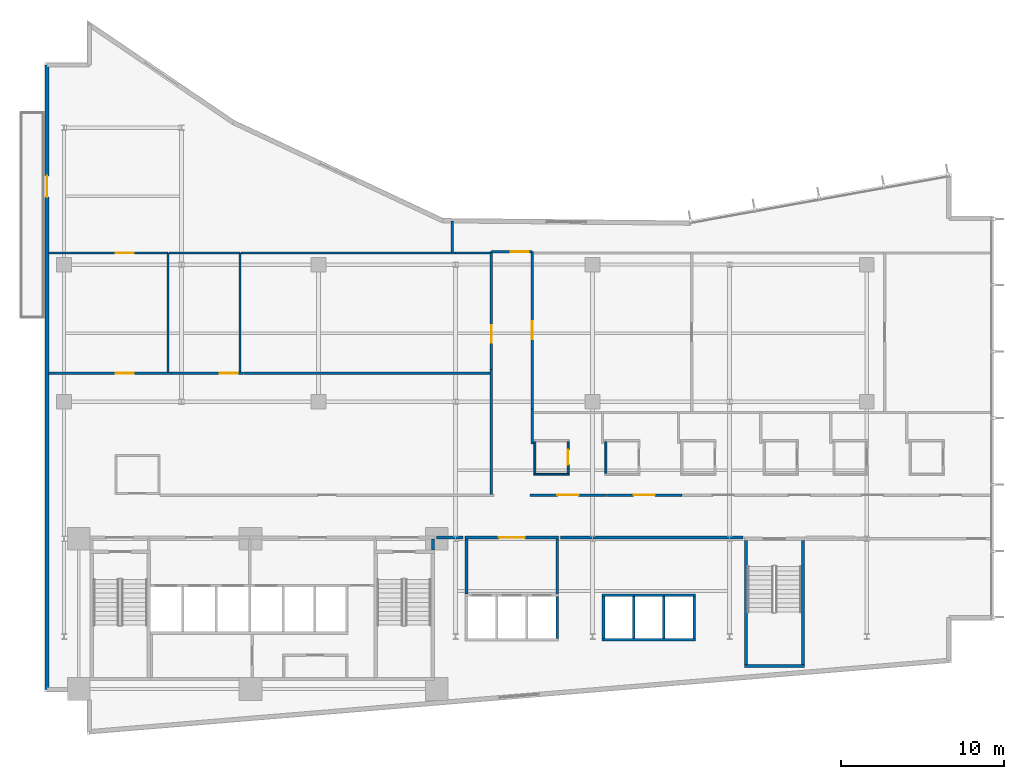
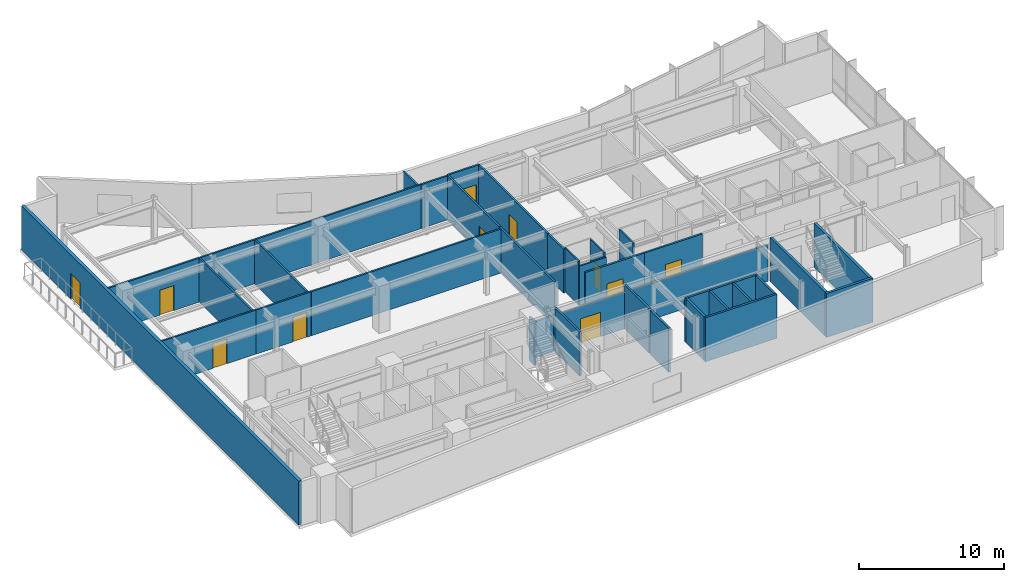
# One storey, part 13 of 20: 40 walls, 11 doors, 11 openings.
"""IFC4 building model written with IfcOpenShell, lengths in metres."""

from ifc_helpers import new_model, si_unit, direction, frame, frame_2d, origin, place, context, subcontext, project, spatial, rectangle, extrude, material, layer, layer_set, type_object, element, fill, save


model = new_model("IFC4")

# Units and contexts
model_context = context("Model", 3, precision=1e-05, world=origin(), true_north=direction((0.0, 1.0)))
body_context = subcontext(model_context, "Body", "Model", "MODEL_VIEW")
ifc_project = project(units=[si_unit("LENGTHUNIT", "METRE"), si_unit("AREAUNIT", "SQUARE_METRE"), si_unit("VOLUMEUNIT", "CUBIC_METRE"), si_unit("PLANEANGLEUNIT", "RADIAN"), si_unit("MASSUNIT", "GRAM", prefix="KILO")], contexts=[model_context])

# Site, building, storey
site_placement = place(None, origin())
site = spatial("IfcSite", under=ifc_project, at=site_placement, CompositionType="ELEMENT")
building_placement = place(site_placement, origin())
building = spatial("IfcBuilding", under=site, at=building_placement, Name="Varnakote Quay Hospital", CompositionType="ELEMENT")
storey_placement = place(building_placement, frame((0.0, 0.0, 81.75)))
storey = spatial("IfcBuildingStorey", under=building, at=storey_placement, Name="L20", CompositionType="ELEMENT", Elevation=81.75)

# Walls
ifc_material_1 = material(Name="Fire-rated acoustic gypsum stud wall", Category="gypsum")
ifc_layer_1 = layer(ifc_material_1, 0.159912109375)
ifc_layer_set_1 = layer_set([ifc_layer_1], Name="Fire-rated acoustic gypsum stud wall")
wall_type_1 = type_object("IfcWallType", Name="WL-COMP-160", PredefinedType="PARTITIONING", material=ifc_layer_set_1)
wall_1_placement = place(storey_placement, frame((23.820068359375, 11.300048828125, 0.0), z_axis=(0.0, 0.0, 1.0), x_axis=(0.0, 1.0, 0.0)))
element("IfcWall", 1, at=wall_1_placement, inside=storey, type_object=wall_type_1, Name="L20 East Stair Vestibule East Wall", PredefinedType="PARTITIONING", context=body_context, shape_type="SweptSolid", body=[
    extrude(rectangle(XDim=0.699951171875, YDim=0.159912109375, at=frame_2d((0.35009765625, 0.0))), origin(), (0.0, 0.0, 1.0), 3.7099609375),
])
for number, where, z_axis, x_axis, name in (
    (2, (25.8701171875, 8.610107421875, 0.0), (0.0, 0.0, 1.0), (0.0, 1.0, 0.0), "L20 Low-Rise Lift Lobby West Wall"),
    (3, (31.429931640625, 8.610107421875, 0.0), (0.0, 0.0, 1.0), (0.0, 1.0, 0.0), "L20 Low-Rise Lift Lobby East Wall"),
):
    element("IfcWall", number, at=place(storey_placement, frame(where, z_axis=z_axis, x_axis=x_axis)), inside=storey, type_object=wall_type_1, Name=name, PredefinedType="PARTITIONING", context=body_context, shape_type="SweptSolid", body=[
        extrude(rectangle(XDim=3.389892578125, YDim=0.159912109375, at=frame_2d((1.69482421875, 0.0))), origin(), (0.0, 0.0, 1.0), 3.7099609375),
    ])

# Wall, opening, door
wall_2_placement = place(storey_placement, frame((25.7900390625, 12.080078125, 0.0), z_axis=(0.0, 0.0, 1.0), x_axis=(1.0, 0.0, 0.0)))
wall_2 = element("IfcWall", 4, at=wall_2_placement, inside=storey, type_object=wall_type_1, Name="L20 Low-Rise Lift Lobby North Wall", PredefinedType="PARTITIONING", context=body_context, shape_type="SweptSolid", body=[
    extrude(rectangle(XDim=5.719970703125, YDim=0.159912109375, at=frame_2d((2.85986328125, 0.0))), origin(), (0.0, 0.0, 1.0), 3.072998046875),
])
opening_1_placement = place(wall_2_placement, frame((2.06005859375, 0.0, 0.0)))
opening_1 = element("IfcOpeningElement", 5, at=opening_1_placement, cuts=wall_2, Name="Opening D-PLL-L20", PredefinedType="OPENING", context=body_context, shape_type="SweptSolid", body=[
    extrude(rectangle(XDim=1.60009765625, YDim=2.050048828125, at=frame_2d((0.800048828125, 1.02490234375))), frame((0.0, 0.08984375, 0.0), z_axis=(0.0, -1.0, 0.0), x_axis=(1.0, 0.0, 0.0)), (0.0, 0.0, 1.0), 0.179931640625),
])
ifc_material_2 = material(Name="Fire-rated double smoke lobby door")
door_type_1 = type_object("IfcDoorType", Name="DR-LOBBY-FD60S-1600x2150", OperationType="NOTDEFINED", PredefinedType="DOOR", material=ifc_material_2)
door_1_placement = place(opening_1_placement, origin())
door_1 = element("IfcDoor", 6, at=door_1_placement, inside=storey, type_object=door_type_1, Name="L20 Low-Rise Passenger Concourse Vestibule Door", OperationType="DOUBLE_DOOR_SINGLE_SWING", OverallHeight=2.050048828125, OverallWidth=1.60009765625, PredefinedType="DOOR", context=body_context, shape_type="SweptSolid", body=[
    extrude(rectangle(XDim=1.60009765625, YDim=2.050048828125, at=frame_2d((0.800048828125, 1.02490234375))), frame((0.0, 0.02490234375, 0.0), z_axis=(0.0, -1.0, 0.0), x_axis=(1.0, 0.0, 0.0)), (0.0, 0.0, 1.0), 0.050048828125),
])
fill(opening_1, door_1)

# Walls
wall_3_placement = place(storey_placement, frame((24.02001953125, 12.080078125, 0.0), z_axis=(0.0, 0.0, 1.0), x_axis=(1.0, 0.0, 0.0)))
element("IfcWall", 7, at=wall_3_placement, inside=storey, type_object=wall_type_1, Name="L20 Corridor South Gap Wall", PredefinedType="PARTITIONING", context=body_context, shape_type="SweptSolid", body=[
    extrude(rectangle(XDim=1.64990234375, YDim=0.159912109375, at=frame_2d((0.824951171875, 0.0))), origin(), (0.0, 0.0, 1.0), 3.072998046875),
])
wall_4_placement = place(storey_placement, frame((31.6298828125, 12.080078125, 0.0), z_axis=(0.0, 0.0, 1.0), x_axis=(1.0, 0.0, 0.0)))
element("IfcWall", 8, at=wall_4_placement, inside=storey, type_object=wall_type_1, Name="L20 Corridor South Gap Wall", PredefinedType="PARTITIONING", context=body_context, shape_type="SweptSolid", body=[
    extrude(rectangle(XDim=11.180908203125, YDim=0.159912109375, at=frame_2d((5.59033203125, 0.0))), origin(), (0.0, 0.0, 1.0), 3.072998046875),
])
ifc_material_3 = material(Name="Moisture-resistant bathroom partition", Category="gypsum")
ifc_layer_2 = layer(ifc_material_3, 0.114990234375)
ifc_layer_set_2 = layer_set([ifc_layer_2], Name="Moisture-resistant bathroom partition")
wall_type_2 = type_object("IfcWallType", Name="WL-ENS-115", PredefinedType="PARTITIONING", material=ifc_layer_set_2)
wall_5_placement = place(storey_placement, frame((30.0048828125, 15.952392578125, 0.0), z_axis=(0.0, 0.0, 1.0), x_axis=(1.0, 0.0, 0.0)))
element("IfcWall", 9, at=wall_5_placement, inside=storey, type_object=wall_type_2, Name="L20 Inpatient En-Suite Bathroom 01 S Wall", PredefinedType="PARTITIONING", context=body_context, shape_type="SweptSolid", body=[
    extrude(rectangle(XDim=2.150146484375, YDim=0.114990234375, at=frame_2d((1.0751953125, 0.0))), origin(), (0.0, 0.0, 1.0), 3.381103515625),
])
wall_6_placement = place(storey_placement, frame((30.0625, 16.010009765625, 0.0), z_axis=(0.0, 0.0, 1.0), x_axis=(0.0, 1.0, 0.0)))
element("IfcWall", 10, at=wall_6_placement, inside=storey, type_object=wall_type_2, Name="L20 Inpatient En-Suite Bathroom 01 W Wall", PredefinedType="PARTITIONING", context=body_context, shape_type="SweptSolid", body=[
    extrude(rectangle(XDim=1.949951171875, YDim=0.114990234375, at=frame_2d((0.97509765625, 0.0))), origin(), (0.0, 0.0, 1.0), 3.7099609375),
])

# Wall, opening, door
wall_7_placement = place(storey_placement, frame((32.097412109375, 16.010009765625, 0.0), z_axis=(0.0, 0.0, 1.0), x_axis=(0.0, 1.0, 0.0)))
wall_7 = element("IfcWall", 11, at=wall_7_placement, inside=storey, type_object=wall_type_2, Name="L20 Inpatient En-Suite Bathroom 01 E Wall", PredefinedType="PARTITIONING", context=body_context, shape_type="SweptSolid", body=[
    extrude(rectangle(XDim=1.949951171875, YDim=0.114990234375, at=frame_2d((0.97509765625, 0.0))), origin(), (0.0, 0.0, 1.0), 3.7099609375),
])
opening_2_placement = place(wall_7_placement, frame((0.514892578125, 0.0, 0.0)))
opening_2 = element("IfcOpeningElement", 12, at=opening_2_placement, cuts=wall_7, Name="Opening D-L20-ENS01", PredefinedType="OPENING", context=body_context, shape_type="SweptSolid", body=[
    extrude(rectangle(XDim=0.919921875, YDim=2.10009765625, at=frame_2d((0.4599609375, 1.050048828125))), frame((0.0, 0.0673828125, 0.0), z_axis=(0.0, -1.0, 0.0), x_axis=(1.0, 0.0, 0.0)), (0.0, 0.0, 1.0), 0.135009765625),
])
ifc_material_4 = material(Name="Moisture-sealed en-suite bathroom door")
door_type_2 = type_object("IfcDoorType", Name="DR-ENS-920x2100", OperationType="NOTDEFINED", PredefinedType="DOOR", material=ifc_material_4)
door_2_placement = place(opening_2_placement, origin())
door_2 = element("IfcDoor", 13, at=door_2_placement, inside=storey, type_object=door_type_2, Name="L20 Inpatient En-Suite Bathroom 01 Door", OperationType="SINGLE_SWING_LEFT", OverallHeight=2.10009765625, OverallWidth=0.919921875, PredefinedType="DOOR", context=body_context, shape_type="SweptSolid", body=[
    extrude(rectangle(XDim=0.919921875, YDim=2.10009765625, at=frame_2d((0.4599609375, 1.050048828125))), frame((0.0, 0.02490234375, 0.0), z_axis=(0.0, -1.0, 0.0), x_axis=(1.0, 0.0, 0.0)), (0.0, 0.0, 1.0), 0.050048828125),
])
fill(opening_2, door_2)

# Wall
wall_8_placement = place(storey_placement, frame((34.41259765625, 16.010009765625, 0.0), z_axis=(0.0, 0.0, 1.0), x_axis=(0.0, 1.0, 0.0)))
element("IfcWall", 14, at=wall_8_placement, inside=storey, type_object=wall_type_2, Name="L20 Inpatient En-Suite Bathroom 02 W Wall", PredefinedType="PARTITIONING", context=body_context, shape_type="SweptSolid", body=[
    extrude(rectangle(XDim=1.949951171875, YDim=0.114990234375, at=frame_2d((0.97509765625, 0.0))), origin(), (0.0, 0.0, 1.0), 3.7099609375),
])

# Wall, opening, door
ifc_material_5 = material(Name="Precast concrete N50 (f'c 50 MPa)", Category="concrete")
ifc_layer_3 = layer(ifc_material_5, 0.260009765625)
ifc_layer_set_3 = layer_set([ifc_layer_3], Name="Precast concrete N50 (f'c 50 MPa)")
wall_type_3 = type_object("IfcWallType", Name="WL-EXT-BRICK-260", PredefinedType="STANDARD", material=ifc_layer_set_3)
wall_9_placement = place(storey_placement, frame((0.159912109375, 41.0400390625, 0.0), z_axis=(0.0, 0.0, 1.0), x_axis=(0.0, -1.0, 0.0)))
wall_9 = element("IfcWall", 15, at=wall_9_placement, inside=storey, type_object=wall_type_3, Name="L20 Healing Terrace Portal Brick Wall", PredefinedType="STANDARD", context=body_context, shape_type="SweptSolid", body=[
    extrude(rectangle(XDim=38.280029296875, YDim=0.260009765625, at=frame_2d((19.14013671875, 0.0))), origin(), (0.0, 0.0, 1.0), 3.7099609375),
])
opening_3_placement = place(wall_9_placement, frame((6.793212890625, 0.0, 0.0)))
opening_3 = element("IfcOpeningElement", 16, at=opening_3_placement, cuts=wall_9, Name="Opening DT-L20", PredefinedType="OPENING", context=body_context, shape_type="SweptSolid", body=[
    extrude(rectangle(XDim=1.300048828125, YDim=2.14990234375, at=frame_2d((0.64990234375, 1.074951171875))), frame((0.0, 0.139892578125, 0.0), z_axis=(0.0, -1.0, 0.0), x_axis=(1.0, 0.0, 0.0)), (0.0, 0.0, 1.0), 0.280029296875),
])
ifc_material_6 = material(Name="Anodised aluminium glazed terrace door", Category="aluminium")
door_type_3 = type_object("IfcDoorType", Name="DR-EXT-TERR-1300x2150", OperationType="NOTDEFINED", PredefinedType="DOOR", material=ifc_material_6)
door_3_placement = place(opening_3_placement, origin())
door_3 = element("IfcDoor", 17, at=door_3_placement, inside=storey, type_object=door_type_3, Name="L20 Waterfront Healing Terrace Door", OperationType="SINGLE_SWING_LEFT", OverallHeight=2.14990234375, OverallWidth=1.300048828125, PredefinedType="DOOR", context=body_context, shape_type="SweptSolid", body=[
    extrude(rectangle(XDim=1.300048828125, YDim=2.14990234375, at=frame_2d((0.64990234375, 1.074951171875))), frame((0.0, 0.02490234375, 0.0), z_axis=(0.0, -1.0, 0.0), x_axis=(1.0, 0.0, 0.0)), (0.0, 0.0, 1.0), 0.050048828125),
])
fill(opening_3, door_3)

# Walls
ifc_material_7 = material(Name="Concrete N50 (f'c 50 MPa)", Category="concrete")
ifc_layer_4 = layer(ifc_material_7, 0.14990234375)
ifc_layer_set_4 = layer_set([ifc_layer_4], Name="Concrete N50 (f'c 50 MPa)")
wall_type_4 = type_object("IfcWallType", Name="WL-SHAFT-N50-150", PredefinedType="SHEAR", material=ifc_layer_set_4)
for number, where, z_axis, x_axis, name in (
    (18, (36.125, 5.89990234375, 0.0), (0.0, 0.0, 1.0), (0.0, 1.0, 0.0), "L20 LF-PM1 Hoistway Divider Wall"),
    (19, (37.97509765625, 5.89990234375, 0.0), (0.0, 0.0, 1.0), (0.0, 1.0, 0.0), "L20 LF-PM2 Hoistway Divider Wall"),
):
    element("IfcWall", number, at=place(storey_placement, frame(where, z_axis=z_axis, x_axis=x_axis)), inside=storey, type_object=wall_type_4, Name=name, PredefinedType="SHEAR", context=body_context, shape_type="SweptSolid", body=[
        extrude(rectangle(XDim=2.550048828125, YDim=0.14990234375, at=frame_2d((1.27490234375, 0.0))), origin(), (0.0, 0.0, 1.0), 3.7099609375),
    ])
ifc_material_8 = material(Name="Concrete N50 (f'c 50 MPa)", Category="concrete")
ifc_layer_5 = layer(ifc_material_8, 0.159912109375)
ifc_layer_set_5 = layer_set([ifc_layer_5], Name="Concrete N50 (f'c 50 MPa)")
wall_type_5 = type_object("IfcWallType", Name="WL-SHAFT-N50-160", PredefinedType="SHEAR", material=ifc_layer_set_5)
wall_10_placement = place(storey_placement, frame((31.429931640625, 5.89990234375, 0.0), z_axis=(0.0, 0.0, 1.0), x_axis=(0.0, 1.0, 0.0)))
element("IfcWall", 20, at=wall_10_placement, inside=storey, type_object=wall_type_5, Name="L20 LOW Lift Bank East Shear Wall", PredefinedType="SHEAR", context=body_context, shape_type="SweptSolid", body=[
    extrude(rectangle(XDim=2.550048828125, YDim=0.159912109375, at=frame_2d((1.27490234375, 0.0))), origin(), (0.0, 0.0, 1.0), 3.7099609375),
])
wall_11_placement = place(storey_placement, frame((34.18994140625, 5.820068359375, 0.0), z_axis=(0.0, 0.0, 1.0), x_axis=(1.0, 0.0, 0.0)))
element("IfcWall", 21, at=wall_11_placement, inside=storey, type_object=wall_type_5, Name="L20 MID Lift Bank Back Shear Wall", PredefinedType="SHEAR", context=body_context, shape_type="SweptSolid", body=[
    extrude(rectangle(XDim=5.719970703125, YDim=0.159912109375, at=frame_2d((2.85986328125, 0.0))), origin(), (0.0, 0.0, 1.0), 3.7099609375),
])
for number, where, z_axis, x_axis, name in (
    (22, (34.27001953125, 5.89990234375, 0.0), (0.0, 0.0, 1.0), (0.0, 1.0, 0.0), "L20 MID Lift Bank West Shear Wall"),
    (23, (39.830078125, 5.89990234375, 0.0), (0.0, 0.0, 1.0), (0.0, 1.0, 0.0), "L20 MID Lift Bank East Shear Wall"),
):
    element("IfcWall", number, at=place(storey_placement, frame(where, z_axis=z_axis, x_axis=x_axis)), inside=storey, type_object=wall_type_5, Name=name, PredefinedType="SHEAR", context=body_context, shape_type="SweptSolid", body=[
        extrude(rectangle(XDim=2.550048828125, YDim=0.159912109375, at=frame_2d((1.27490234375, 0.0))), origin(), (0.0, 0.0, 1.0), 3.7099609375),
    ])
wall_12_placement = place(storey_placement, frame((34.18994140625, 8.530029296875, 0.0), z_axis=(0.0, 0.0, 1.0), x_axis=(1.0, 0.0, 0.0)))
element("IfcWall", 24, at=wall_12_placement, inside=storey, type_object=wall_type_5, Name="L20 LF-PM1 Hoistway Front Wall", PredefinedType="SHEAR", context=body_context, shape_type="SweptSolid", body=[
    extrude(rectangle(XDim=1.93505859375, YDim=0.159912109375, at=frame_2d((0.967529296875, 0.0))), origin(), (0.0, 0.0, 1.0), 3.7099609375),
])
wall_13_placement = place(storey_placement, frame((36.125, 8.530029296875, 0.0), z_axis=(0.0, 0.0, 1.0), x_axis=(1.0, 0.0, 0.0)))
element("IfcWall", 25, at=wall_13_placement, inside=storey, type_object=wall_type_5, Name="L20 LF-PM2 Hoistway Front Wall", PredefinedType="SHEAR", context=body_context, shape_type="SweptSolid", body=[
    extrude(rectangle(XDim=1.85009765625, YDim=0.159912109375, at=frame_2d((0.925048828125, 0.0))), origin(), (0.0, 0.0, 1.0), 3.7099609375),
])
wall_14_placement = place(storey_placement, frame((37.97509765625, 8.530029296875, 0.0), z_axis=(0.0, 0.0, 1.0), x_axis=(1.0, 0.0, 0.0)))
element("IfcWall", 26, at=wall_14_placement, inside=storey, type_object=wall_type_5, Name="L20 LF-PM3 Hoistway Front Wall", PredefinedType="SHEAR", context=body_context, shape_type="SweptSolid", body=[
    extrude(rectangle(XDim=1.934814453125, YDim=0.159912109375, at=frame_2d((0.96728515625, 0.0))), origin(), (0.0, 0.0, 1.0), 3.7099609375),
])
ifc_material_9 = material(Name="Concrete N50 (f'c 50 MPa)", Category="concrete")
ifc_layer_6 = layer(ifc_material_9, 0.199951171875)
ifc_layer_set_6 = layer_set([ifc_layer_6], Name="Concrete N50 (f'c 50 MPa)")
wall_type_6 = type_object("IfcWallType", Name="WL-SHAFT-N50-200", PredefinedType="SHEAR", material=ifc_layer_set_6)
wall_15_placement = place(storey_placement, frame((42.89990234375, 4.199951171875, 0.0), z_axis=(0.0, 0.0, 1.0), x_axis=(1.0, 0.0, 0.0)))
element("IfcWall", 27, at=wall_15_placement, inside=storey, type_object=wall_type_6, Name="L20 Stair ST3 South Shaft Wall", PredefinedType="SHEAR", context=body_context, shape_type="SweptSolid", body=[
    extrude(rectangle(XDim=3.7001953125, YDim=0.199951171875, at=frame_2d((1.85009765625, 0.0))), origin(), (0.0, 0.0, 1.0), 3.7099609375),
])
for number, where, z_axis, x_axis, name in (
    (28, (43.0, 4.300048828125, 0.0), (0.0, 0.0, 1.0), (0.0, 1.0, 0.0), "L20 Stair ST3 West Shaft Wall"),
    (29, (46.5, 4.300048828125, 0.0), (0.0, 0.0, 1.0), (0.0, 1.0, 0.0), "L20 Stair ST3 East Shaft Wall"),
):
    element("IfcWall", number, at=place(storey_placement, frame(where, z_axis=z_axis, x_axis=x_axis)), inside=storey, type_object=wall_type_6, Name=name, PredefinedType="SHEAR", context=body_context, shape_type="SweptSolid", body=[
        extrude(rectangle(XDim=7.599853515625, YDim=0.199951171875, at=frame_2d((3.7998046875, 0.0))), origin(), (0.0, 0.0, 1.0), 3.7099609375),
    ])

# Wall, opening, door
ifc_material_10 = material(Name="Smoke-proof clinical partition", Category="gypsum")
ifc_layer_7 = layer(ifc_material_10, 0.135009765625)
ifc_layer_set_7 = layer_set([ifc_layer_7], Name="Smoke-proof clinical partition")
wall_type_7 = type_object("IfcWallType", Name="WL-SMOKE-135", PredefinedType="PARTITIONING", material=ifc_layer_set_7)
wall_16_placement = place(storey_placement, frame((7.774658203125, 22.139892578125, 0.0), z_axis=(0.0, 0.0, 1.0), x_axis=(-1.0, 0.0, 0.0)))
wall_16 = element("IfcWall", 30, at=wall_16_placement, inside=storey, type_object=wall_type_7, Name="L20 Clinical Interior Partition", PredefinedType="PARTITIONING", context=body_context, shape_type="SweptSolid", body=[
    extrude(rectangle(XDim=7.53466796875, YDim=0.135009765625, at=frame_2d((3.767333984375, 0.0))), origin(), (0.0, 0.0, 1.0), 3.7099609375),
])
opening_4_placement = place(wall_16_placement, frame((2.31201171875, 0.0, 0.0)))
opening_4 = element("IfcOpeningElement", 31, at=opening_4_placement, cuts=wall_16, Name="Opening D-L20-DLNG", PredefinedType="OPENING", context=body_context, shape_type="SweptSolid", body=[
    extrude(rectangle(XDim=1.10009765625, YDim=2.10009765625, at=frame_2d((0.550048828125, 1.050048828125))), frame((0.0, 0.077392578125, 0.0), z_axis=(0.0, -1.0, 0.0), x_axis=(1.0, 0.0, 0.0)), (0.0, 0.0, 1.0), 0.155029296875),
])
ifc_material_11 = material(Name="Acoustic timber clinical consult door", Category="wood")
door_type_4 = type_object("IfcDoorType", Name="DR-CLIN-FD30S-1100x2100", OperationType="NOTDEFINED", PredefinedType="DOOR", material=ifc_material_11)
door_4_placement = place(opening_4_placement, origin())
door_4 = element("IfcDoor", 32, at=door_4_placement, inside=storey, type_object=door_type_4, Name="L20 Waterfront Patient & Family Dayroom Door", OperationType="SINGLE_SWING_RIGHT", OverallHeight=2.10009765625, OverallWidth=1.10009765625, PredefinedType="DOOR", context=body_context, shape_type="SweptSolid", body=[
    extrude(rectangle(XDim=1.10009765625, YDim=2.10009765625, at=frame_2d((0.550048828125, 1.050048828125))), frame((0.0, 0.02490234375, 0.0), z_axis=(0.0, -1.0, 0.0), x_axis=(1.0, 0.0, 0.0)), (0.0, 0.0, 1.0), 0.050048828125),
])
fill(opening_4, door_4)

wall_17_placement = place(storey_placement, frame((12.1845703125, 22.139892578125, 0.0), z_axis=(0.0, 0.0, 1.0), x_axis=(-1.0, 0.0, 0.0)))
wall_17 = element("IfcWall", 33, at=wall_17_placement, inside=storey, type_object=wall_type_7, Name="L20 Clinical Interior Partition", PredefinedType="PARTITIONING", context=body_context, shape_type="SweptSolid", body=[
    extrude(rectangle(XDim=4.407958984375, YDim=0.135009765625, at=frame_2d((2.2041015625, 0.0))), origin(), (0.0, 0.0, 1.0), 3.7099609375),
])
opening_5_placement = place(wall_17_placement, frame((0.345458984375, 0.0, 0.0)))
opening_5 = element("IfcOpeningElement", 34, at=opening_5_placement, cuts=wall_17, Name="Opening D-L20-WPNT", PredefinedType="OPENING", context=body_context, shape_type="SweptSolid", body=[
    extrude(rectangle(XDim=1.10009765625, YDim=2.10009765625, at=frame_2d((0.550048828125, 1.050048828125))), frame((0.0, 0.077392578125, 0.0), z_axis=(0.0, -1.0, 0.0), x_axis=(1.0, 0.0, 0.0)), (0.0, 0.0, 1.0), 0.155029296875),
])
door_5_placement = place(opening_5_placement, origin())
door_5 = element("IfcDoor", 35, at=door_5_placement, inside=storey, type_object=door_type_4, Name="L20 Ward Clinical Nutrition Pantry Door", OperationType="SINGLE_SWING_LEFT", OverallHeight=2.10009765625, OverallWidth=1.10009765625, PredefinedType="DOOR", context=body_context, shape_type="SweptSolid", body=[
    extrude(rectangle(XDim=1.10009765625, YDim=2.10009765625, at=frame_2d((0.550048828125, 1.050048828125))), frame((0.0, 0.02490234375, 0.0), z_axis=(0.0, -1.0, 0.0), x_axis=(1.0, 0.0, 0.0)), (0.0, 0.0, 1.0), 0.050048828125),
])
fill(opening_5, door_5)

# Walls
wall_18_placement = place(storey_placement, frame((27.320068359375, 22.139892578125, 0.0), z_axis=(0.0, 0.0, 1.0), x_axis=(-1.0, 0.0, 0.0)))
element("IfcWall", 36, at=wall_18_placement, inside=storey, type_object=wall_type_7, Name="L20 Clinical Interior Partition", PredefinedType="PARTITIONING", context=body_context, shape_type="SweptSolid", body=[
    extrude(rectangle(XDim=15.133544921875, YDim=0.135009765625, at=frame_2d((7.56689453125, 0.0))), origin(), (0.0, 0.0, 1.0), 3.7099609375),
])
wall_19_placement = place(storey_placement, frame((7.580078125, 22.197509765625, 0.0), z_axis=(0.0, 0.0, 1.0), x_axis=(0.0, 1.0, 0.0)))
element("IfcWall", 37, at=wall_19_placement, inside=storey, type_object=wall_type_7, Name="L20 Clinical Interior Partition", PredefinedType="PARTITIONING", context=body_context, shape_type="SweptSolid", body=[
    extrude(rectangle(XDim=7.322509765625, YDim=0.135009765625, at=frame_2d((3.6611328125, 0.0))), origin(), (0.0, 0.0, 1.0), 3.7099609375),
])

# Wall, opening, door
wall_20_placement = place(storey_placement, frame((7.580078125, 29.52001953125, 0.0), z_axis=(0.0, 0.0, 1.0), x_axis=(-1.0, 0.0, 0.0)))
wall_20 = element("IfcWall", 38, at=wall_20_placement, inside=storey, type_object=wall_type_7, Name="L20 Clinical Interior Partition", PredefinedType="PARTITIONING", context=body_context, shape_type="SweptSolid", body=[
    extrude(rectangle(XDim=7.340087890625, YDim=0.135009765625, at=frame_2d((3.669921875, 0.0))), origin(), (0.0, 0.0, 1.0), 3.7099609375),
])
opening_6_placement = place(wall_20_placement, frame((2.097900390625, 0.0, 0.0)))
opening_6 = element("IfcOpeningElement", 39, at=opening_6_placement, cuts=wall_20, Name="Opening D-L20-MD06", PredefinedType="OPENING", context=body_context, shape_type="SweptSolid", body=[
    extrude(rectangle(XDim=1.10009765625, YDim=2.10009765625, at=frame_2d((0.550048828125, 1.050048828125))), frame((0.0, 0.077392578125, 0.0), z_axis=(0.0, -1.0, 0.0), x_axis=(1.0, 0.0, 0.0)), (0.0, 0.0, 1.0), 0.155029296875),
])
door_6_placement = place(opening_6_placement, origin())
door_6 = element("IfcDoor", 40, at=door_6_placement, inside=storey, type_object=door_type_4, Name="L20 Telehealth Consult Office Door", OperationType="SINGLE_SWING_RIGHT", OverallHeight=2.10009765625, OverallWidth=1.10009765625, PredefinedType="DOOR", context=body_context, shape_type="SweptSolid", body=[
    extrude(rectangle(XDim=1.10009765625, YDim=2.10009765625, at=frame_2d((0.550048828125, 1.050048828125))), frame((0.0, 0.02490234375, 0.0), z_axis=(0.0, -1.0, 0.0), x_axis=(1.0, 0.0, 0.0)), (0.0, 0.0, 1.0), 0.050048828125),
])
fill(opening_6, door_6)

# Walls
wall_21_placement = place(storey_placement, frame((11.989990234375, 22.197509765625, 0.0), z_axis=(0.0, 0.0, 1.0), x_axis=(0.0, 1.0, 0.0)))
element("IfcWall", 41, at=wall_21_placement, inside=storey, type_object=wall_type_7, Name="L20 Clinical Interior Partition", PredefinedType="PARTITIONING", context=body_context, shape_type="SweptSolid", body=[
    extrude(rectangle(XDim=7.322509765625, YDim=0.135009765625, at=frame_2d((3.6611328125, 0.0))), origin(), (0.0, 0.0, 1.0), 3.7099609375),
])
wall_22_placement = place(storey_placement, frame((11.989990234375, 29.52001953125, 0.0), z_axis=(0.0, 0.0, 1.0), x_axis=(-1.0, 0.0, 0.0)))
element("IfcWall", 42, at=wall_22_placement, inside=storey, type_object=wall_type_7, Name="L20 Clinical Interior Partition", PredefinedType="PARTITIONING", context=body_context, shape_type="SweptSolid", body=[
    extrude(rectangle(XDim=4.3525390625, YDim=0.135009765625, at=frame_2d((2.17626953125, 0.0))), origin(), (0.0, 0.0, 1.0), 3.7099609375),
])
wall_23_placement = place(storey_placement, frame((25.194580078125, 29.52001953125, 0.0), z_axis=(0.0, 0.0, 1.0), x_axis=(-1.0, 0.0, 0.0)))
element("IfcWall", 43, at=wall_23_placement, inside=storey, type_object=wall_type_7, Name="L20 Clinical Interior Partition", PredefinedType="PARTITIONING", context=body_context, shape_type="SweptSolid", body=[
    extrude(rectangle(XDim=13.14697265625, YDim=0.135009765625, at=frame_2d((6.573486328125, 0.0))), origin(), (0.0, 0.0, 1.0), 3.7099609375),
])
wall_24_placement = place(storey_placement, frame((27.320068359375, 29.52001953125, 0.0), z_axis=(0.0, 0.0, 1.0), x_axis=(-1.0, 0.0, 0.0)))
element("IfcWall", 44, at=wall_24_placement, inside=storey, type_object=wall_type_7, Name="L20 Clinical Interior Partition", PredefinedType="PARTITIONING", context=body_context, shape_type="SweptSolid", body=[
    extrude(rectangle(XDim=2.12353515625, YDim=0.135009765625, at=frame_2d((1.061767578125, 0.0))), origin(), (0.0, 0.0, 1.0), 3.7099609375),
])
wall_25_placement = place(storey_placement, frame((25.0, 29.577392578125, 0.0), z_axis=(0.0, 0.0, 1.0), x_axis=(0.0, 1.0, 0.0)))
element("IfcWall", 45, at=wall_25_placement, inside=storey, type_object=wall_type_7, Name="L20 Clinical Interior Partition", PredefinedType="PARTITIONING", context=body_context, shape_type="SweptSolid", body=[
    extrude(rectangle(XDim=1.9091796875, YDim=0.135009765625, at=frame_2d((0.95458984375, 0.0))), origin(), (0.0, 0.0, 1.0), 3.7099609375),
])

# Wall, opening, door
ifc_material_12 = material(Name="Fire-rated clinical gypsum partition", Category="gypsum")
ifc_layer_8 = layer(ifc_material_12, 0.14990234375)
ifc_layer_set_8 = layer_set([ifc_layer_8], Name="Fire-rated clinical gypsum partition")
wall_type_8 = type_object("IfcWallType", Name="WL-WARD-150", PredefinedType="PARTITIONING", material=ifc_layer_set_8)
wall_26_placement = place(storey_placement, frame((34.43603515625, 14.679931640625, 0.0), z_axis=(0.0, 0.0, 1.0), x_axis=(-1.0, 0.0, 0.0)))
wall_26 = element("IfcWall", 46, at=wall_26_placement, inside=storey, type_object=wall_type_8, Name="L20 Clinical Interior Partition", PredefinedType="PARTITIONING", context=body_context, shape_type="SweptSolid", body=[
    extrude(rectangle(XDim=4.68212890625, YDim=0.14990234375, at=frame_2d((2.341064453125, 0.0))), origin(), (0.0, 0.0, 1.0), 3.7099609375),
])
opening_7_placement = place(wall_26_placement, frame((1.69091796875, 0.0, 0.0)))
opening_7 = element("IfcOpeningElement", 47, at=opening_7_placement, cuts=wall_26, Name="Opening D-L20-BR01", PredefinedType="OPENING", context=body_context, shape_type="SweptSolid", body=[
    extrude(rectangle(XDim=1.300048828125, YDim=2.14990234375, at=frame_2d((0.64990234375, 1.074951171875))), frame((0.0, 0.0849609375, 0.0), z_axis=(0.0, -1.0, 0.0), x_axis=(1.0, 0.0, 0.0)), (0.0, 0.0, 1.0), 0.169921875),
])
ifc_material_13 = material(Name="Solid-core timber clinical bed door", Category="wood")
door_type_5 = type_object("IfcDoorType", Name="DR-WARD-FD30S-1300x2150", OperationType="NOTDEFINED", PredefinedType="DOOR", material=ifc_material_13)
door_7_placement = place(opening_7_placement, origin())
door_7 = element("IfcDoor", 48, at=door_7_placement, inside=storey, type_object=door_type_5, Name="L20 Resident Care Bedroom 01 Door", OperationType="SINGLE_SWING_LEFT", OverallHeight=2.14990234375, OverallWidth=1.300048828125, PredefinedType="DOOR", context=body_context, shape_type="SweptSolid", body=[
    extrude(rectangle(XDim=1.300048828125, YDim=2.14990234375, at=frame_2d((0.64990234375, 1.074951171875))), frame((0.0, 0.02490234375, 0.0), z_axis=(0.0, -1.0, 0.0), x_axis=(1.0, 0.0, 0.0)), (0.0, 0.0, 1.0), 0.050048828125),
])
fill(opening_7, door_7)

wall_27_placement = place(storey_placement, frame((39.095947265625, 14.679931640625, 0.0), z_axis=(0.0, 0.0, 1.0), x_axis=(-1.0, 0.0, 0.0)))
wall_27 = element("IfcWall", 49, at=wall_27_placement, inside=storey, type_object=wall_type_8, Name="L20 Clinical Interior Partition", PredefinedType="PARTITIONING", context=body_context, shape_type="SweptSolid", body=[
    extrude(rectangle(XDim=4.657958984375, YDim=0.14990234375, at=frame_2d((2.3291015625, 0.0))), origin(), (0.0, 0.0, 1.0), 3.7099609375),
])
opening_8_placement = place(wall_27_placement, frame((1.678955078125, 0.0, 0.0)))
opening_8 = element("IfcOpeningElement", 50, at=opening_8_placement, cuts=wall_27, Name="Opening D-L20-BR02", PredefinedType="OPENING", context=body_context, shape_type="SweptSolid", body=[
    extrude(rectangle(XDim=1.300048828125, YDim=2.14990234375, at=frame_2d((0.64990234375, 1.074951171875))), frame((0.0, 0.0849609375, 0.0), z_axis=(0.0, -1.0, 0.0), x_axis=(1.0, 0.0, 0.0)), (0.0, 0.0, 1.0), 0.169921875),
])
door_8_placement = place(opening_8_placement, origin())
door_8 = element("IfcDoor", 51, at=door_8_placement, inside=storey, type_object=door_type_5, Name="L20 Resident Care Bedroom 02 Door", OperationType="SINGLE_SWING_RIGHT", OverallHeight=2.14990234375, OverallWidth=1.300048828125, PredefinedType="DOOR", context=body_context, shape_type="SweptSolid", body=[
    extrude(rectangle(XDim=1.300048828125, YDim=2.14990234375, at=frame_2d((0.64990234375, 1.074951171875))), frame((0.0, 0.02490234375, 0.0), z_axis=(0.0, -1.0, 0.0), x_axis=(1.0, 0.0, 0.0)), (0.0, 0.0, 1.0), 0.050048828125),
])
fill(opening_8, door_8)

# Wall
wall_28_placement = place(storey_placement, frame((27.39990234375, 22.365966796875, 0.0), z_axis=(0.0, 0.0, 1.0), x_axis=(0.0, -1.0, 0.0)))
element("IfcWall", 52, at=wall_28_placement, inside=storey, type_object=wall_type_8, Name="L20 Clinical Interior Partition", PredefinedType="PARTITIONING", context=body_context, shape_type="SweptSolid", body=[
    extrude(rectangle(XDim=7.666015625, YDim=0.14990234375, at=frame_2d((3.8330078125, 0.0))), origin(), (0.0, 0.0, 1.0), 3.7099609375),
])

# Wall, opening, door
wall_29_placement = place(storey_placement, frame((27.39990234375, 29.60009765625, 0.0), z_axis=(0.0, 0.0, 1.0), x_axis=(0.0, -1.0, 0.0)))
wall_29 = element("IfcWall", 53, at=wall_29_placement, inside=storey, type_object=wall_type_8, Name="L20 Clinical Interior Partition", PredefinedType="PARTITIONING", context=body_context, shape_type="SweptSolid", body=[
    extrude(rectangle(XDim=7.232177734375, YDim=0.14990234375, at=frame_2d((3.6162109375, 0.0))), origin(), (0.0, 0.0, 1.0), 3.7099609375),
])
opening_9_placement = place(wall_29_placement, frame((4.4990234375, 0.0, 0.0)))
opening_9 = element("IfcOpeningElement", 54, at=opening_9_placement, cuts=wall_29, Name="Opening D-L20-MD02", PredefinedType="OPENING", context=body_context, shape_type="SweptSolid", body=[
    extrude(rectangle(XDim=1.10009765625, YDim=2.10009765625, at=frame_2d((0.550048828125, 1.050048828125))), frame((0.0, 0.0849609375, 0.0), z_axis=(0.0, -1.0, 0.0), x_axis=(1.0, 0.0, 0.0)), (0.0, 0.0, 1.0), 0.169921875),
])
door_9_placement = place(opening_9_placement, origin())
door_9 = element("IfcDoor", 55, at=door_9_placement, inside=storey, type_object=door_type_4, Name="L20 Telehealth Consult Office Door", OperationType="SINGLE_SWING_LEFT", OverallHeight=2.10009765625, OverallWidth=1.10009765625, PredefinedType="DOOR", context=body_context, shape_type="SweptSolid", body=[
    extrude(rectangle(XDim=1.10009765625, YDim=2.10009765625, at=frame_2d((0.550048828125, 1.050048828125))), frame((0.0, 0.02490234375, 0.0), z_axis=(0.0, -1.0, 0.0), x_axis=(1.0, 0.0, 0.0)), (0.0, 0.0, 1.0), 0.050048828125),
])
fill(opening_9, door_9)

# Wall
wall_30_placement = place(storey_placement, frame((29.89990234375, 17.81396484375, 0.0), z_axis=(0.0, 0.0, 1.0), x_axis=(0.0, 1.0, 0.0)))
element("IfcWall", 56, at=wall_30_placement, inside=storey, type_object=wall_type_8, Name="L20 Clinical Interior Partition", PredefinedType="PARTITIONING", context=body_context, shape_type="SweptSolid", body=[
    extrude(rectangle(XDim=2.152099609375, YDim=0.14990234375, at=frame_2d((1.076171875, 0.0))), origin(), (0.0, 0.0, 1.0), 3.7099609375),
])

# Wall, opening, door
wall_31_placement = place(storey_placement, frame((29.89990234375, 19.968017578125, 0.0), z_axis=(0.0, 0.0, 1.0), x_axis=(0.0, 1.0, 0.0)))
wall_31 = element("IfcWall", 57, at=wall_31_placement, inside=storey, type_object=wall_type_8, Name="L20 Clinical Interior Partition", PredefinedType="PARTITIONING", context=body_context, shape_type="SweptSolid", body=[
    extrude(rectangle(XDim=9.632080078125, YDim=0.14990234375, at=frame_2d((4.81591796875, 0.0))), origin(), (0.0, 0.0, 1.0), 3.7099609375),
])
opening_10_placement = place(wall_31_placement, frame((4.26611328125, 0.0, 0.0)))
opening_10 = element("IfcOpeningElement", 58, at=opening_10_placement, cuts=wall_31, Name="Opening D-L20-MD03", PredefinedType="OPENING", context=body_context, shape_type="SweptSolid", body=[
    extrude(rectangle(XDim=1.10009765625, YDim=2.10009765625, at=frame_2d((0.550048828125, 1.050048828125))), frame((0.0, 0.0849609375, 0.0), z_axis=(0.0, -1.0, 0.0), x_axis=(1.0, 0.0, 0.0)), (0.0, 0.0, 1.0), 0.169921875),
])
door_10_placement = place(opening_10_placement, origin())
door_10 = element("IfcDoor", 59, at=door_10_placement, inside=storey, type_object=door_type_4, Name="L20 Daylight Rehabilitation Treatment Suite Door", OperationType="SINGLE_SWING_RIGHT", OverallHeight=2.10009765625, OverallWidth=1.10009765625, PredefinedType="DOOR", context=body_context, shape_type="SweptSolid", body=[
    extrude(rectangle(XDim=1.10009765625, YDim=2.10009765625, at=frame_2d((0.550048828125, 1.050048828125))), frame((0.0, 0.02490234375, 0.0), z_axis=(0.0, -1.0, 0.0), x_axis=(1.0, 0.0, 0.0)), (0.0, 0.0, 1.0), 0.050048828125),
])
fill(opening_10, door_10)

wall_32_placement = place(storey_placement, frame((29.89990234375, 29.60009765625, 0.0), z_axis=(0.0, 0.0, 1.0), x_axis=(-1.0, 0.0, 0.0)))
wall_32 = element("IfcWall", 60, at=wall_32_placement, inside=storey, type_object=wall_type_8, Name="L20 Clinical Interior Partition", PredefinedType="PARTITIONING", context=body_context, shape_type="SweptSolid", body=[
    extrude(rectangle(XDim=2.5, YDim=0.14990234375, at=frame_2d((1.25, 0.0))), origin(), (0.0, 0.0, 1.0), 3.7099609375),
])
opening_11_placement = place(wall_32_placement, frame((0.22509765625, 0.0, 0.0)))
opening_11 = element("IfcOpeningElement", 61, at=opening_11_placement, cuts=wall_32, Name="Opening D-L20-MD07", PredefinedType="OPENING", context=body_context, shape_type="SweptSolid", body=[
    extrude(rectangle(XDim=1.10009765625, YDim=2.10009765625, at=frame_2d((0.550048828125, 1.050048828125))), frame((0.0, 0.0849609375, 0.0), z_axis=(0.0, -1.0, 0.0), x_axis=(1.0, 0.0, 0.0)), (0.0, 0.0, 1.0), 0.169921875),
])
door_11_placement = place(opening_11_placement, origin())
door_11 = element("IfcDoor", 62, at=door_11_placement, inside=storey, type_object=door_type_4, Name="L20 Daylight Rehabilitation Treatment Suite Door", OperationType="SINGLE_SWING_LEFT", OverallHeight=2.10009765625, OverallWidth=1.10009765625, PredefinedType="DOOR", context=body_context, shape_type="SweptSolid", body=[
    extrude(rectangle(XDim=1.10009765625, YDim=2.10009765625, at=frame_2d((0.550048828125, 1.050048828125))), frame((0.0, 0.02490234375, 0.0), z_axis=(0.0, -1.0, 0.0), x_axis=(1.0, 0.0, 0.0)), (0.0, 0.0, 1.0), 0.050048828125),
])
fill(opening_11, door_11)

save(model, "model.ifc")
